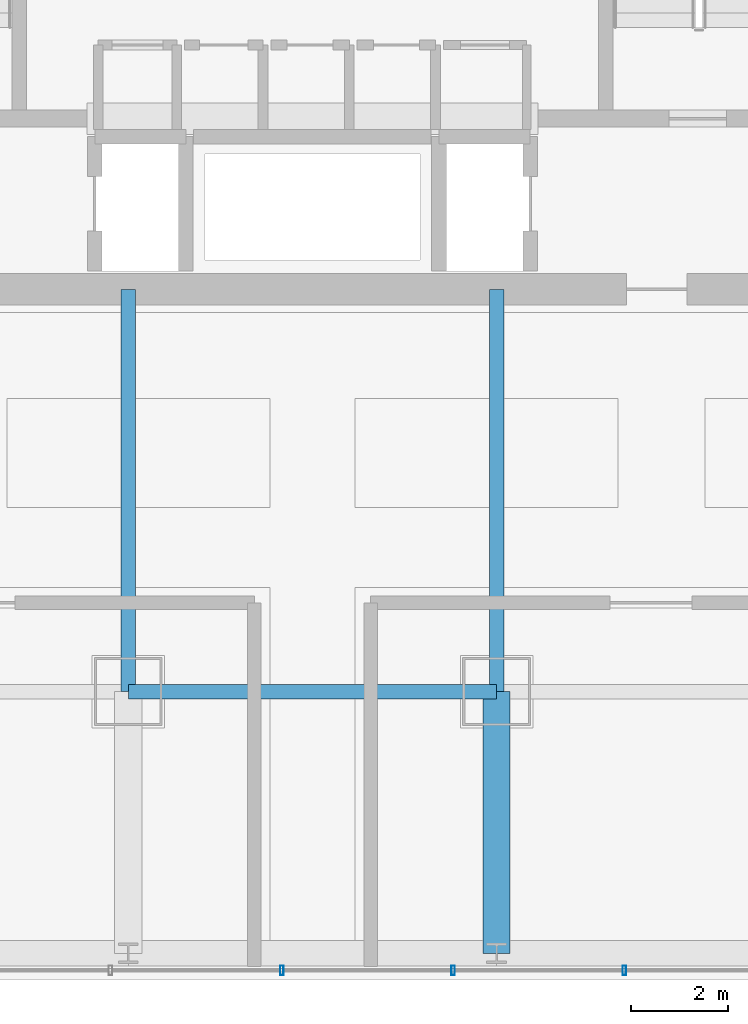
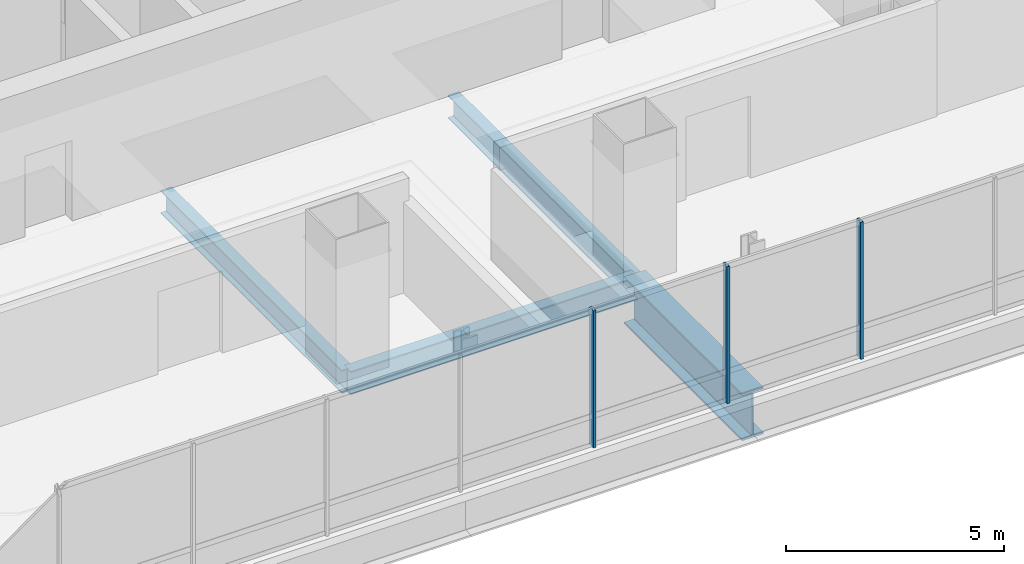
# One storey, part 8 of 36: 4 beams, 3 members, 1 element without a shape of its own.
"""IFC4 building model written with IfcOpenShell, lengths in metres."""

from ifc_helpers import new_model, si_unit, direction, frame, origin, origin_2d, place, context, subcontext, project, spatial, hollow_rectangle, i_section, extrude, material, material_profile, profile_set, type_object, element, aggregate, save


model = new_model("IFC4")

# Units and contexts
model_context = context("Model", 3, precision=1e-05, world=origin(), true_north=direction((0.0, 1.0)))
body_context = subcontext(model_context, "Body", "Model", "MODEL_VIEW")
ifc_project = project(units=[si_unit("LENGTHUNIT", "METRE"), si_unit("AREAUNIT", "SQUARE_METRE"), si_unit("VOLUMEUNIT", "CUBIC_METRE"), si_unit("PLANEANGLEUNIT", "RADIAN"), si_unit("MASSUNIT", "GRAM", prefix="KILO")], contexts=[model_context])

# Site, building, storey
site_placement = place(None, origin())
site = spatial("IfcSite", under=ifc_project, at=site_placement, CompositionType="ELEMENT")
building_placement = place(site_placement, origin())
building = spatial("IfcBuilding", under=site, at=building_placement, Name="Punatoya Terracotta Tower", CompositionType="ELEMENT")
storey_placement = place(building_placement, frame((0.0, 0.0, 196.5)))
storey = spatial("IfcBuildingStorey", under=building, at=storey_placement, Name="L46", CompositionType="ELEMENT", Elevation=196.5)

# Beams
ifc_material_1 = material(Name="Steel S355", Category="steel")
ifc_material_profile_1 = material_profile(ifc_material_1, i_section(OverallWidth=0.300048828125, OverallDepth=0.64990234375, WebThickness=0.01611328125, FlangeThickness=0.031005859375, FilletRadius=0.01806640625, at=origin_2d()))
ifc_profile_set_1 = profile_set([ifc_material_profile_1], Name="Steel S355")
beam_type_1 = type_object("IfcBeamType", Name="BM-PRI-650", PredefinedType="BEAM", material=ifc_profile_set_1)
beam_1_placement = place(storey_placement, frame((-3.800048828125, -17.5, -0.544921875), z_axis=(1.0, 0.0, 0.0), x_axis=(0.0, 1.0, 0.0)))
element("IfcBeam", 1, at=beam_1_placement, inside=storey, type_object=beam_type_1, Name="BM-L46-RG-S2", PredefinedType="BEAM", context=body_context, shape_type="SweptSolid", body=[
    extrude(i_section(OverallWidth=0.300048828125, OverallDepth=0.64990234375, WebThickness=0.01611328125, FlangeThickness=0.031005859375, FilletRadius=0.01806640625, at=origin_2d()), origin(), (0.0, 0.0, 1.0), 7.60009765625),
])
for number, where, z_axis, x_axis, name in (
    (2, (-3.800048828125, -17.5, -0.544921875), (0.0, 1.0, 0.0), (-1.0, 0.0, 0.0), "BM-L46-PR-S2"),
    (3, (3.800048828125, -17.5, -0.544921875), (0.0, 1.0, 0.0), (-1.0, 0.0, 0.0), "BM-L46-PR-S3"),
):
    element("IfcBeam", number, at=place(storey_placement, frame(where, z_axis=z_axis, x_axis=x_axis)), inside=storey, type_object=beam_type_1, Name=name, PredefinedType="BEAM", context=body_context, shape_type="SweptSolid", body=[
        extrude(i_section(OverallWidth=0.300048828125, OverallDepth=0.64990234375, WebThickness=0.01611328125, FlangeThickness=0.031005859375, FilletRadius=0.01806640625, at=origin_2d()), origin(), (0.0, 0.0, 1.0), 8.300048828125),
    ])
ifc_material_2 = material(Name="Steel S460", Category="steel")
ifc_material_profile_2 = material_profile(ifc_material_2, i_section(OverallWidth=0.56005859375, OverallDepth=1.320068359375, WebThickness=0.035888671875, FlangeThickness=0.054931640625, FilletRadius=0.01806640625, at=origin_2d()))
ifc_profile_set_2 = profile_set([ifc_material_profile_2], Name="Steel S460")
beam_type_2 = type_object("IfcBeamType", Name="BM-TG-BLK", PredefinedType="BEAM", material=ifc_profile_set_2)
beam_2_placement = place(storey_placement, frame((3.800048828125, -22.89990234375, -0.8798828125), z_axis=(0.0, 1.0, 0.0), x_axis=(-1.0, 0.0, 0.0)))
element("IfcBeam", 4, at=beam_2_placement, inside=storey, type_object=beam_type_2, Name="BM-L46-CANT-S3", PredefinedType="BEAM", context=body_context, shape_type="SweptSolid", body=[
    extrude(i_section(OverallWidth=0.56005859375, OverallDepth=1.320068359375, WebThickness=0.035888671875, FlangeThickness=0.054931640625, FilletRadius=0.01806640625, at=origin_2d()), origin(), (0.0, 0.0, 1.0), 5.39990234375),
])

# Curtain wall, members
ifc_material_3 = material(Name="Aluminium 6063-T6 + Double Low-E Glass", Category="aluminium")
curtain_wall_type = type_object("IfcCurtainWallType", Name="CW-M2", PredefinedType="NOTDEFINED", material=ifc_material_3)
curtain_wall_placement = place(storey_placement, origin())
curtain_wall = element("IfcCurtainWall", 5, at=curtain_wall_placement, inside=storey, type_object=curtain_wall_type, Name="L46 Curtain Wall CW-L46-S01-1", PredefinedType="NOTDEFINED")
ifc_material_4 = material(Name="Aluminium 6063-T6", Category="aluminium")
ifc_material_profile_3 = material_profile(ifc_material_4, hollow_rectangle(XDim=0.072021484375, YDim=0.195068359375, WallThickness=0.00439453125, at=origin_2d()))
ifc_profile_set_3 = profile_set([ifc_material_profile_3], Name="Aluminium 6063-T6")
member_type = type_object("IfcMemberType", Name="CW-MUL-M2", PredefinedType="MULLION", material=ifc_profile_set_3)
member_1_placement = place(storey_placement, frame((-0.633056640625, -23.25, 0.0), z_axis=(0.0, 0.0, 1.0), x_axis=(1.0, 0.0, 0.0)))
member_1 = element("IfcMember", 6, at=member_1_placement, type_object=member_type, Name="CW-L46-S01-1 Mullion 06", PredefinedType="MULLION", context=body_context, shape_type="SweptSolid", body=[
    extrude(hollow_rectangle(XDim=0.072021484375, YDim=0.195068359375, WallThickness=0.00439453125, at=origin_2d()), origin(), (0.0, 0.0, 1.0), 3.830078125),
])
member_2_placement = place(storey_placement, frame((2.90087890625, -23.25, 0.0), z_axis=(0.0, 0.0, 1.0), x_axis=(1.0, 0.0, 0.0)))
member_2 = element("IfcMember", 7, at=member_2_placement, type_object=member_type, Name="CW-L46-S01-1 Mullion 07", PredefinedType="MULLION", context=body_context, shape_type="SweptSolid", body=[
    extrude(hollow_rectangle(XDim=0.072021484375, YDim=0.195068359375, WallThickness=0.00439453125, at=origin_2d()), origin(), (0.0, 0.0, 1.0), 3.830078125),
])
member_3_placement = place(storey_placement, frame((6.43505859375, -23.25, 0.0), z_axis=(0.0, 0.0, 1.0), x_axis=(1.0, 0.0, 0.0)))
member_3 = element("IfcMember", 8, at=member_3_placement, type_object=member_type, Name="CW-L46-S01-1 Mullion 08", PredefinedType="MULLION", context=body_context, shape_type="SweptSolid", body=[
    extrude(hollow_rectangle(XDim=0.072021484375, YDim=0.195068359375, WallThickness=0.00439453125, at=origin_2d()), origin(), (0.0, 0.0, 1.0), 3.830078125),
])
aggregate(curtain_wall, [member_1, member_2, member_3])

save(model, "model.ifc")
